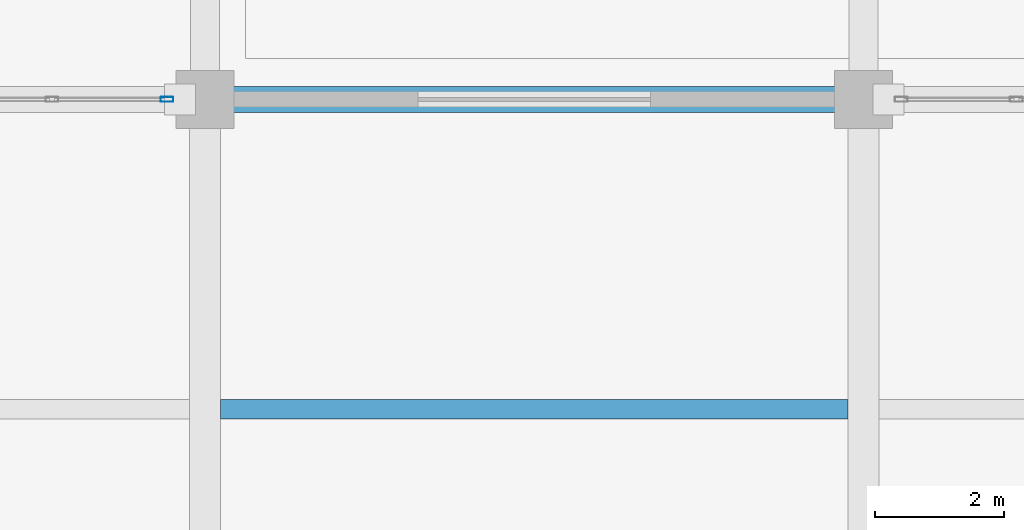
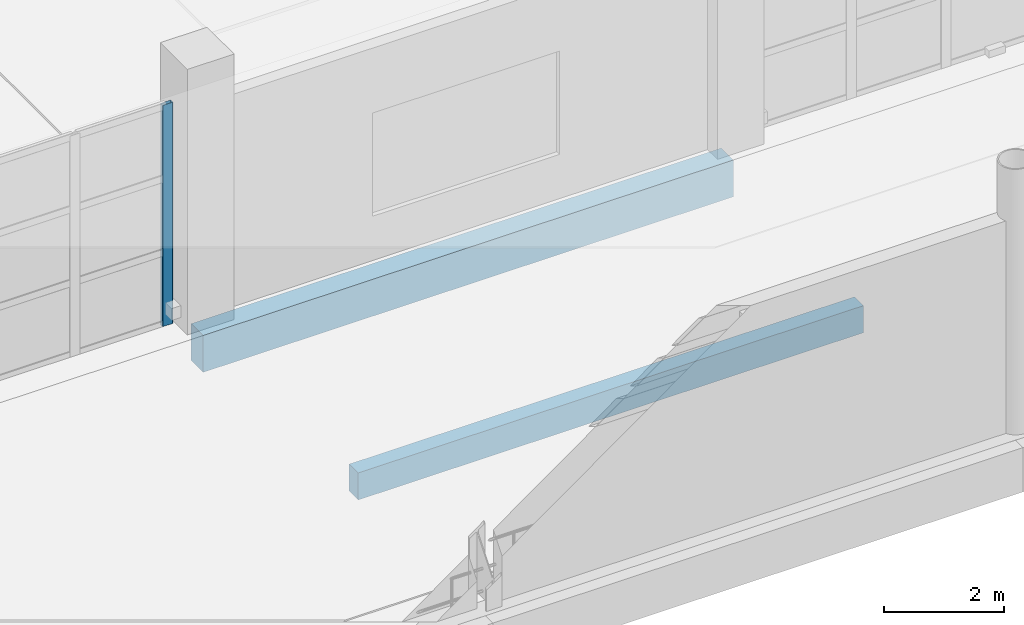
# One storey, part 41 of 175: 2 beams, 1 member, 1 element without a shape of its own.
"""IFC4 building model written with IfcOpenShell, lengths in metres."""

from ifc_helpers import new_model, si_unit, direction, frame, origin, origin_2d, place, context, subcontext, project, spatial, rectangle, hollow_rectangle, extrude, material, material_profile, profile_set, type_object, element, aggregate, save


model = new_model("IFC4")

# Units and contexts
model_context = context("Model", 3, precision=1e-05, world=origin(), true_north=direction((0.0, 1.0)))
body_context = subcontext(model_context, "Body", "Model", "MODEL_VIEW")
ifc_project = project(units=[si_unit("LENGTHUNIT", "METRE"), si_unit("AREAUNIT", "SQUARE_METRE"), si_unit("VOLUMEUNIT", "CUBIC_METRE"), si_unit("PLANEANGLEUNIT", "RADIAN"), si_unit("MASSUNIT", "GRAM", prefix="KILO")], contexts=[model_context])

# Site, building, storey
site_placement = place(None, origin())
site = spatial("IfcSite", under=ifc_project, at=site_placement, CompositionType="ELEMENT")
building_placement = place(site_placement, origin())
building = spatial("IfcBuilding", under=site, at=building_placement, Name="Brelvane Convention Centre", CompositionType="ELEMENT")
storey_placement = place(building_placement, frame((0.0, 0.0, 5.39990234375)))
storey = spatial("IfcBuildingStorey", under=building, at=storey_placement, Name="L01", CompositionType="ELEMENT", Elevation=5.39990234375)

# Curtain wall, member
ifc_material_1 = material(Name="Anodised Aluminium Alloy 6063-T6", Category="aluminium")
curtain_wall_type = type_object("IfcCurtainWallType", Name="Curtain Wall CW-COURT", PredefinedType="USERDEFINED", material=ifc_material_1)
curtain_wall_placement = place(storey_placement, origin())
curtain_wall = element("IfcCurtainWall", 1, at=curtain_wall_placement, inside=storey, type_object=curtain_wall_type, Name="Curtain Wall CW-COURT L01-V4S-07", ObjectType="UNITISED", PredefinedType="USERDEFINED")
ifc_material_2 = material(Name="Anodised Aluminium Alloy 6063-T6", Category="aluminium")
ifc_material_profile_1 = material_profile(ifc_material_2, hollow_rectangle(XDim=0.074951171875, YDim=0.199951171875, WallThickness=0.0048828125, InnerFilletRadius=0.0048828125, OuterFilletRadius=0.010009765625, at=origin_2d()), Name="ALU-M 200x75x5.0")
ifc_profile_set_1 = profile_set([ifc_material_profile_1], Name="Anodised Aluminium Alloy 6063-T6")
member_type = type_object("IfcMemberType", Name="Curtain Mullion CW-M2", PredefinedType="MULLION", material=ifc_profile_set_1)
member_placement = place(storey_placement, frame((70.8125, 109.199951171875, 0.0), z_axis=(0.0, 0.0, 1.0), x_axis=(0.0, 1.0, 0.0)))
member = element("IfcMember", 2, at=member_placement, type_object=member_type, Name="CW-COURT mullion 6", PredefinedType="MULLION", context=body_context, shape_type="SweptSolid", body=[
    extrude(hollow_rectangle(XDim=0.074951171875, YDim=0.199951171875, WallThickness=0.0048828125, InnerFilletRadius=0.0048828125, OuterFilletRadius=0.010009765625, at=origin_2d()), origin(), (0.0, 0.0, 1.0), 4.5),
])
aggregate(curtain_wall, [member])

# Beams
ifc_material_3 = material(Name="Concrete M40", Category="concrete")
ifc_material_profile_2 = material_profile(ifc_material_3, rectangle(XDim=0.300048828125, YDim=0.550048828125, at=origin_2d()), Name="RC 300x550")
ifc_profile_set_2 = profile_set([ifc_material_profile_2], Name="Concrete M40")
beam_type_1 = type_object("IfcBeamType", Name="RC Joist J-RC1 (RC 300x550)", PredefinedType="JOIST", material=ifc_profile_set_2)
beam_1_placement = place(storey_placement, frame((71.639892578125, 104.39990234375, -0.594970703125), z_axis=(1.0, 0.0, 0.0), x_axis=(0.0, 1.0, 0.0)))
element("IfcBeam", 3, at=beam_1_placement, inside=storey, type_object=beam_type_1, Name="L01 Secondary Joist 8-9/KL", PredefinedType="JOIST", context=body_context, shape_type="SweptSolid", body=[
    extrude(rectangle(XDim=0.300048828125, YDim=0.550048828125, at=origin_2d()), origin(), (0.0, 0.0, 1.0), 9.72021484375),
])
ifc_material_4 = material(Name="Concrete M40", Category="concrete")
ifc_material_profile_3 = material_profile(ifc_material_4, rectangle(XDim=0.39990234375, YDim=0.75, at=origin_2d()), Name="RC 400x750")
ifc_profile_set_3 = profile_set([ifc_material_profile_3], Name="Concrete M40")
beam_type_2 = type_object("IfcBeamType", Name="RC Spandrel SP-RC1 (RC 400x750)", PredefinedType="SPANDREL", material=ifc_profile_set_3)
beam_2_placement = place(storey_placement, frame((71.39990234375, 109.199951171875, -0.69482421875), z_axis=(1.0, 0.0, 0.0), x_axis=(0.0, 1.0, 0.0)))
element("IfcBeam", 4, at=beam_2_placement, inside=storey, type_object=beam_type_2, Name="L01 Beam 8-9/L", PredefinedType="SPANDREL", context=body_context, shape_type="SweptSolid", body=[
    extrude(rectangle(XDim=0.39990234375, YDim=0.75, at=origin_2d()), origin(), (0.0, 0.0, 1.0), 10.2001953125),
])

save(model, "model.ifc")
